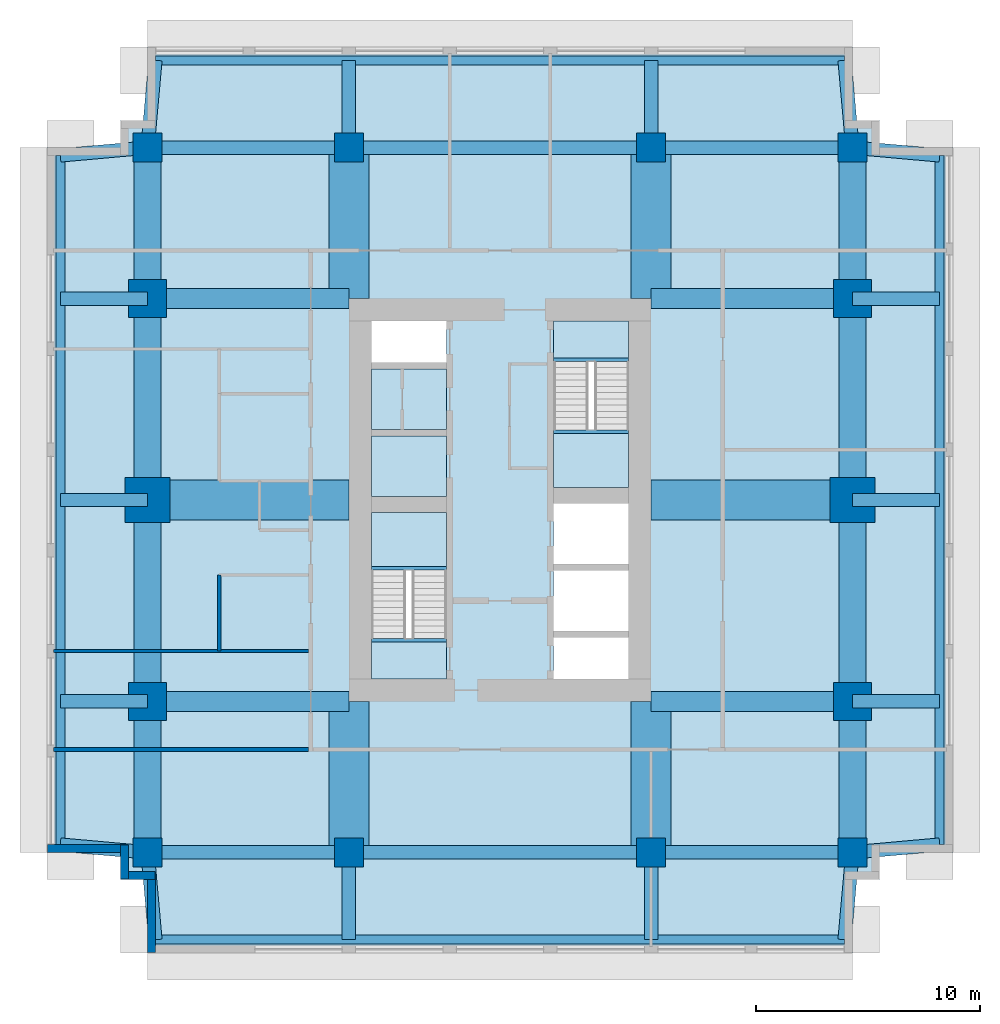
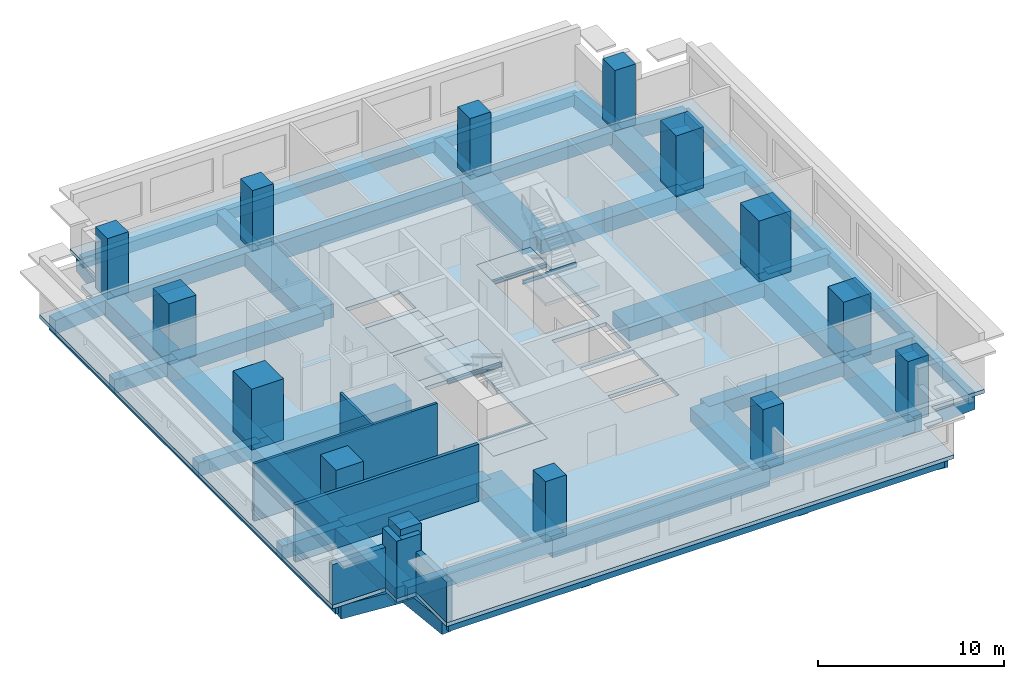
# One storey, part 1 of 5: 50 beams, 14 columns, 7 slabs, 7 walls, 2 elements without a shape of their own.
"""IFC4 building model written with IfcOpenShell, lengths in metres."""

from ifc_helpers import new_model, si_unit, direction, frame, frame_2d, origin, origin_2d, place, context, subcontext, project, spatial, polyline, rectangle, i_section, outline, extrude, material, layer, layer_set, material_profile, profile_set, type_object, element, aggregate, save


model = new_model("IFC4")

# Units and contexts
model_context = context("Model", 3, precision=1e-05, world=origin(), true_north=direction((0.0, 1.0)))
body_context = subcontext(model_context, "Body", "Model", "MODEL_VIEW")
ifc_project = project(units=[si_unit("LENGTHUNIT", "METRE"), si_unit("AREAUNIT", "SQUARE_METRE"), si_unit("VOLUMEUNIT", "CUBIC_METRE"), si_unit("PLANEANGLEUNIT", "RADIAN"), si_unit("MASSUNIT", "GRAM", prefix="KILO")], contexts=[model_context])

# Site, building, storey
site_placement = place(None, origin())
site = spatial("IfcSite", under=ifc_project, at=site_placement, CompositionType="ELEMENT")
building_placement = place(site_placement, origin())
building = spatial("IfcBuilding", under=site, at=building_placement, Name="Namib Vertical Campus", CompositionType="ELEMENT")
storey_placement = place(building_placement, frame((0.0, 0.0, 285.0)))
storey = spatial("IfcBuildingStorey", under=building, at=storey_placement, Name="L67", CompositionType="ELEMENT", Elevation=285.0)

# Columns
ifc_material_1 = material(Name="Concrete C60/75", Category="concrete")
ifc_material_profile_1 = material_profile(ifc_material_1, rectangle(XDim=1.300048828125, YDim=1.300048828125, at=origin_2d()))
ifc_profile_set_1 = profile_set([ifc_material_profile_1], Name="Concrete C60/75")
column_type_1 = type_object("IfcColumnType", Name="Column RC 1300x1300", PredefinedType="COLUMN", material=ifc_profile_set_1)
for number, where, z_axis, x_axis, name in (
    (1, (4.5, 4.5, 0.0), (0.0, 0.0, 1.0), (1.0, 0.0, 0.0), "Column C130 L67"),
    (2, (13.5, 4.5, 0.0), (0.0, 0.0, 1.0), (1.0, 0.0, 0.0), "Column C130 L67"),
    (3, (27.0, 4.5, 0.0), (0.0, 0.0, 1.0), (1.0, 0.0, 0.0), "Column C130 L67"),
    (4, (36.0, 4.5, 0.0), (0.0, 0.0, 1.0), (1.0, 0.0, 0.0), "Column C130 L67"),
    (5, (4.5, 36.0, 0.0), (0.0, 0.0, 1.0), (1.0, 0.0, 0.0), "Column C130 L67"),
    (6, (13.5, 36.0, 0.0), (0.0, 0.0, 1.0), (1.0, 0.0, 0.0), "Column C130 L67"),
    (7, (27.0, 36.0, 0.0), (0.0, 0.0, 1.0), (1.0, 0.0, 0.0), "Column C130 L67"),
    (8, (36.0, 36.0, 0.0), (0.0, 0.0, 1.0), (1.0, 0.0, 0.0), "Column C130 L67"),
):
    element("IfcColumn", number, at=place(storey_placement, frame(where, z_axis=z_axis, x_axis=x_axis)), inside=storey, type_object=column_type_1, Name=name, PredefinedType="COLUMN", context=body_context, shape_type="SweptSolid", body=[
        extrude(rectangle(XDim=1.300048828125, YDim=1.300048828125, at=origin_2d()), origin(), (0.0, 0.0, 1.0), 4.0),
    ])
ifc_material_2 = material(Name="Concrete C60/75", Category="concrete")
ifc_material_profile_2 = material_profile(ifc_material_2, rectangle(XDim=1.699951171875, YDim=1.699951171875, at=origin_2d()))
ifc_profile_set_2 = profile_set([ifc_material_profile_2], Name="Concrete C60/75")
column_type_2 = type_object("IfcColumnType", Name="Column RC 1700x1700", PredefinedType="COLUMN", material=ifc_profile_set_2)
for number, where, z_axis, x_axis, name in (
    (9, (4.5, 11.25, 0.0), (0.0, 0.0, 1.0), (1.0, 0.0, 0.0), "Column C170 L67"),
    (10, (36.0, 11.25, 0.0), (0.0, 0.0, 1.0), (1.0, 0.0, 0.0), "Column C170 L67"),
    (11, (4.5, 29.25, 0.0), (0.0, 0.0, 1.0), (1.0, 0.0, 0.0), "Column C170 L67"),
    (12, (36.0, 29.25, 0.0), (0.0, 0.0, 1.0), (1.0, 0.0, 0.0), "Column C170 L67"),
):
    element("IfcColumn", number, at=place(storey_placement, frame(where, z_axis=z_axis, x_axis=x_axis)), inside=storey, type_object=column_type_2, Name=name, PredefinedType="COLUMN", context=body_context, shape_type="SweptSolid", body=[
        extrude(rectangle(XDim=1.699951171875, YDim=1.699951171875, at=origin_2d()), origin(), (0.0, 0.0, 1.0), 4.0),
    ])
ifc_material_3 = material(Name="Concrete C60/75", Category="concrete")
ifc_material_profile_3 = material_profile(ifc_material_3, rectangle(XDim=2.0, YDim=2.0, at=origin_2d()))
ifc_profile_set_3 = profile_set([ifc_material_profile_3], Name="Concrete C60/75")
column_type_3 = type_object("IfcColumnType", Name="Column RC 2000x2000", PredefinedType="COLUMN", material=ifc_profile_set_3)
for number, where, z_axis, x_axis, name in (
    (13, (4.5, 20.25, 0.0), (0.0, 0.0, 1.0), (1.0, 0.0, 0.0), "Column C200 L67"),
    (14, (36.0, 20.25, 0.0), (0.0, 0.0, 1.0), (1.0, 0.0, 0.0), "Column C200 L67"),
):
    element("IfcColumn", number, at=place(storey_placement, frame(where, z_axis=z_axis, x_axis=x_axis)), inside=storey, type_object=column_type_3, Name=name, PredefinedType="COLUMN", context=body_context, shape_type="SweptSolid", body=[
        extrude(rectangle(XDim=2.0, YDim=2.0, at=origin_2d()), origin(), (0.0, 0.0, 1.0), 4.0),
    ])

# Beams
ifc_material_4 = material(Name="Concrete C40/50", Category="concrete")
ifc_material_profile_4 = material_profile(ifc_material_4, rectangle(XDim=0.60009765625, YDim=0.89990234375, at=origin_2d()))
ifc_profile_set_4 = profile_set([ifc_material_profile_4], Name="Concrete C40/50")
beam_type_1 = type_object("IfcBeamType", Name="Cantilever girder RC 600x900", PredefinedType="BEAM", material=ifc_profile_set_4)
beam_1_placement = place(storey_placement, frame((4.5, 4.5, -0.699951171875), z_axis=(0.089411326146, -0.995994786511, 0.0), x_axis=(0.995994786511, 0.089411326146, 0.0)))
element("IfcBeam", 15, at=beam_1_placement, inside=storey, type_object=beam_type_1, Name="Beam B3 L67", PredefinedType="BEAM", context=body_context, shape_type="SweptSolid", body=[
    extrude(rectangle(XDim=0.60009765625, YDim=0.89990234375, at=origin_2d()), origin(), (0.0, 0.0, 1.0), 3.91552734375),
])
for number, where, z_axis, x_axis, name in (
    (16, (13.5, 4.5, -0.699951171875), (0.0, -1.0, 0.0), (1.0, 0.0, 0.0), "Beam B3 L67"),
    (17, (27.0, 4.5, -0.699951171875), (0.0, -1.0, 0.0), (1.0, 0.0, 0.0), "Beam B3 L67"),
):
    element("IfcBeam", number, at=place(storey_placement, frame(where, z_axis=z_axis, x_axis=x_axis)), inside=storey, type_object=beam_type_1, Name=name, PredefinedType="BEAM", context=body_context, shape_type="SweptSolid", body=[
        extrude(rectangle(XDim=0.60009765625, YDim=0.89990234375, at=origin_2d()), origin(), (0.0, 0.0, 1.0), 3.89990234375),
    ])
for number, where, z_axis, x_axis, name in (
    (18, (36.0, 4.5, -0.699951171875), (-0.089411326146, -0.995994786511, 0.0), (0.995994786511, -0.089411326146, 0.0), "Beam B3 L67"),
    (19, (4.5, 36.0, -0.699951171875), (0.089411326146, 0.995994786511, 0.0), (-0.995994786511, 0.089411326146, 0.0), "Beam B3 L67"),
):
    element("IfcBeam", number, at=place(storey_placement, frame(where, z_axis=z_axis, x_axis=x_axis)), inside=storey, type_object=beam_type_1, Name=name, PredefinedType="BEAM", context=body_context, shape_type="SweptSolid", body=[
        extrude(rectangle(XDim=0.60009765625, YDim=0.89990234375, at=origin_2d()), origin(), (0.0, 0.0, 1.0), 3.91552734375),
    ])
for number, where, z_axis, x_axis, name in (
    (20, (13.5, 36.0, -0.699951171875), (0.0, 1.0, 0.0), (-1.0, 0.0, 0.0), "Beam B3 L67"),
    (21, (27.0, 36.0, -0.699951171875), (0.0, 1.0, 0.0), (-1.0, 0.0, 0.0), "Beam B3 L67"),
):
    element("IfcBeam", number, at=place(storey_placement, frame(where, z_axis=z_axis, x_axis=x_axis)), inside=storey, type_object=beam_type_1, Name=name, PredefinedType="BEAM", context=body_context, shape_type="SweptSolid", body=[
        extrude(rectangle(XDim=0.60009765625, YDim=0.89990234375, at=origin_2d()), origin(), (0.0, 0.0, 1.0), 3.89990234375),
    ])
for number, where, z_axis, x_axis, name in (
    (22, (36.0, 36.0, -0.699951171875), (-0.089411326146, 0.995994786511, 0.0), (-0.995994786511, -0.089411326146, 0.0), "Beam B3 L67"),
    (23, (4.5, 4.5, -0.699951171875), (-0.995994786511, 0.089411326146, 0.0), (-0.089411326146, -0.995994786511, 0.0), "Beam B3 L67"),
):
    element("IfcBeam", number, at=place(storey_placement, frame(where, z_axis=z_axis, x_axis=x_axis)), inside=storey, type_object=beam_type_1, Name=name, PredefinedType="BEAM", context=body_context, shape_type="SweptSolid", body=[
        extrude(rectangle(XDim=0.60009765625, YDim=0.89990234375, at=origin_2d()), origin(), (0.0, 0.0, 1.0), 3.91552734375),
    ])
for number, where, z_axis, x_axis, name in (
    (24, (4.5, 11.25, -0.699951171875), (-1.0, 0.0, 0.0), (0.0, -1.0, 0.0), "Beam B3 L67"),
    (25, (4.5, 20.25, -0.699951171875), (-1.0, 0.0, 0.0), (0.0, -1.0, 0.0), "Beam B3 L67"),
    (26, (4.5, 29.25, -0.699951171875), (-1.0, 0.0, 0.0), (0.0, -1.0, 0.0), "Beam B3 L67"),
):
    element("IfcBeam", number, at=place(storey_placement, frame(where, z_axis=z_axis, x_axis=x_axis)), inside=storey, type_object=beam_type_1, Name=name, PredefinedType="BEAM", context=body_context, shape_type="SweptSolid", body=[
        extrude(rectangle(XDim=0.60009765625, YDim=0.89990234375, at=origin_2d()), origin(), (0.0, 0.0, 1.0), 3.89990234375),
    ])
for number, where, z_axis, x_axis, name in (
    (27, (4.5, 36.0, -0.699951171875), (-0.995994786511, -0.089411326146, 0.0), (0.089411326146, -0.995994786511, 0.0), "Beam B3 L67"),
    (28, (36.0, 4.5, -0.699951171875), (0.995994786511, 0.089411326146, 0.0), (-0.089411326146, 0.995994786511, 0.0), "Beam B3 L67"),
):
    element("IfcBeam", number, at=place(storey_placement, frame(where, z_axis=z_axis, x_axis=x_axis)), inside=storey, type_object=beam_type_1, Name=name, PredefinedType="BEAM", context=body_context, shape_type="SweptSolid", body=[
        extrude(rectangle(XDim=0.60009765625, YDim=0.89990234375, at=origin_2d()), origin(), (0.0, 0.0, 1.0), 3.91552734375),
    ])
for number, where, z_axis, x_axis, name in (
    (29, (36.0, 11.25, -0.699951171875), (1.0, 0.0, 0.0), (0.0, 1.0, 0.0), "Beam B3 L67"),
    (30, (36.0, 20.25, -0.699951171875), (1.0, 0.0, 0.0), (0.0, 1.0, 0.0), "Beam B3 L67"),
    (31, (36.0, 29.25, -0.699951171875), (1.0, 0.0, 0.0), (0.0, 1.0, 0.0), "Beam B3 L67"),
):
    element("IfcBeam", number, at=place(storey_placement, frame(where, z_axis=z_axis, x_axis=x_axis)), inside=storey, type_object=beam_type_1, Name=name, PredefinedType="BEAM", context=body_context, shape_type="SweptSolid", body=[
        extrude(rectangle(XDim=0.60009765625, YDim=0.89990234375, at=origin_2d()), origin(), (0.0, 0.0, 1.0), 3.89990234375),
    ])
beam_2_placement = place(storey_placement, frame((36.0, 36.0, -0.699951171875), z_axis=(0.995994786511, -0.089411326146, 0.0), x_axis=(0.089411326146, 0.995994786511, 0.0)))
element("IfcBeam", 32, at=beam_2_placement, inside=storey, type_object=beam_type_1, Name="Beam B3 L67", PredefinedType="BEAM", context=body_context, shape_type="SweptSolid", body=[
    extrude(rectangle(XDim=0.60009765625, YDim=0.89990234375, at=origin_2d()), origin(), (0.0, 0.0, 1.0), 3.91552734375),
])
ifc_material_5 = material(Name="Concrete C40/50", Category="concrete")
ifc_material_profile_5 = material_profile(ifc_material_5, rectangle(XDim=0.39990234375, YDim=0.699951171875, at=origin_2d()))
ifc_profile_set_5 = profile_set([ifc_material_profile_5], Name="Concrete C40/50")
beam_type_2 = type_object("IfcBeamType", Name="Edge beam RC 400x700", PredefinedType="SPANDREL", material=ifc_profile_set_5)
for number, where, z_axis, x_axis, name in (
    (33, (4.85009765625, 0.60009765625, -0.60009765625), (1.0, 0.0, 0.0), (0.0, 1.0, 0.0), "Beam B4 L67"),
    (34, (4.85009765625, 39.89990234375, -0.60009765625), (1.0, 0.0, 0.0), (0.0, 1.0, 0.0), "Beam B4 L67"),
    (35, (0.60009765625, 4.85009765625, -0.60009765625), (0.0, 1.0, 0.0), (-1.0, 0.0, 0.0), "Beam B4 L67"),
    (36, (39.89990234375, 4.85009765625, -0.60009765625), (0.0, 1.0, 0.0), (-1.0, 0.0, 0.0), "Beam B4 L67"),
):
    element("IfcBeam", number, at=place(storey_placement, frame(where, z_axis=z_axis, x_axis=x_axis)), inside=storey, type_object=beam_type_2, Name=name, PredefinedType="SPANDREL", context=body_context, shape_type="SweptSolid", body=[
        extrude(rectangle(XDim=0.39990234375, YDim=0.699951171875, at=origin_2d()), origin(), (0.0, 0.0, 1.0), 30.7998046875),
    ])
ifc_material_6 = material(Name="Concrete C40/50", Category="concrete")
ifc_material_profile_6 = material_profile(ifc_material_6, rectangle(XDim=0.89990234375, YDim=0.89990234375, at=origin_2d()))
ifc_profile_set_6 = profile_set([ifc_material_profile_6], Name="Concrete C40/50")
beam_type_3 = type_object("IfcBeamType", Name="Face girder RC 900x900", PredefinedType="BEAM", material=ifc_profile_set_6)
for number, where, z_axis, x_axis, name in (
    (37, (4.5, 11.25, -0.699951171875), (1.0, 0.0, 0.0), (0.0, 1.0, 0.0), "Beam B10 L67"),
    (38, (36.0, 11.25, -0.699951171875), (-1.0, 0.0, 0.0), (0.0, -1.0, 0.0), "Beam B10 L67"),
    (39, (4.5, 29.25, -0.699951171875), (1.0, 0.0, 0.0), (0.0, 1.0, 0.0), "Beam B10 L67"),
    (40, (36.0, 29.25, -0.699951171875), (-1.0, 0.0, 0.0), (0.0, -1.0, 0.0), "Beam B10 L67"),
):
    element("IfcBeam", number, at=place(storey_placement, frame(where, z_axis=z_axis, x_axis=x_axis)), inside=storey, type_object=beam_type_3, Name=name, PredefinedType="BEAM", context=body_context, shape_type="SweptSolid", body=[
        extrude(rectangle(XDim=0.89990234375, YDim=0.89990234375, at=origin_2d()), origin(), (0.0, 0.0, 1.0), 9.0),
    ])
ifc_material_7 = material(Name="Concrete C40/50", Category="concrete")
ifc_material_profile_7 = material_profile(ifc_material_7, rectangle(XDim=1.199951171875, YDim=1.10009765625, at=origin_2d()))
ifc_profile_set_7 = profile_set([ifc_material_profile_7], Name="Concrete C40/50")
beam_type_4 = type_object("IfcBeamType", Name="Face ring beam RC 1200x1100", PredefinedType="BEAM", material=ifc_profile_set_7)
beam_3_placement = place(storey_placement, frame((4.5, 4.5, -0.800048828125), z_axis=(0.0, 1.0, 0.0), x_axis=(-1.0, 0.0, 0.0)))
element("IfcBeam", 41, at=beam_3_placement, inside=storey, type_object=beam_type_4, Name="Beam B11 L67", PredefinedType="BEAM", context=body_context, shape_type="SweptSolid", body=[
    extrude(rectangle(XDim=1.199951171875, YDim=1.10009765625, at=origin_2d()), origin(), (0.0, 0.0, 1.0), 6.75),
])
for number, where, z_axis, x_axis, name in (
    (42, (4.5, 11.25, -0.800048828125), (0.0, 1.0, 0.0), (-1.0, 0.0, 0.0), "Beam B11 L67"),
    (43, (4.5, 20.25, -0.800048828125), (0.0, 1.0, 0.0), (-1.0, 0.0, 0.0), "Beam B11 L67"),
):
    element("IfcBeam", number, at=place(storey_placement, frame(where, z_axis=z_axis, x_axis=x_axis)), inside=storey, type_object=beam_type_4, Name=name, PredefinedType="BEAM", context=body_context, shape_type="SweptSolid", body=[
        extrude(rectangle(XDim=1.199951171875, YDim=1.10009765625, at=origin_2d()), origin(), (0.0, 0.0, 1.0), 9.0),
    ])
for number, where, z_axis, x_axis, name in (
    (44, (4.5, 29.25, -0.800048828125), (0.0, 1.0, 0.0), (-1.0, 0.0, 0.0), "Beam B11 L67"),
    (45, (36.0, 4.5, -0.800048828125), (0.0, 1.0, 0.0), (-1.0, 0.0, 0.0), "Beam B11 L67"),
):
    element("IfcBeam", number, at=place(storey_placement, frame(where, z_axis=z_axis, x_axis=x_axis)), inside=storey, type_object=beam_type_4, Name=name, PredefinedType="BEAM", context=body_context, shape_type="SweptSolid", body=[
        extrude(rectangle(XDim=1.199951171875, YDim=1.10009765625, at=origin_2d()), origin(), (0.0, 0.0, 1.0), 6.75),
    ])
for number, where, z_axis, x_axis, name in (
    (46, (36.0, 11.25, -0.800048828125), (0.0, 1.0, 0.0), (-1.0, 0.0, 0.0), "Beam B11 L67"),
    (47, (36.0, 20.25, -0.800048828125), (0.0, 1.0, 0.0), (-1.0, 0.0, 0.0), "Beam B11 L67"),
):
    element("IfcBeam", number, at=place(storey_placement, frame(where, z_axis=z_axis, x_axis=x_axis)), inside=storey, type_object=beam_type_4, Name=name, PredefinedType="BEAM", context=body_context, shape_type="SweptSolid", body=[
        extrude(rectangle(XDim=1.199951171875, YDim=1.10009765625, at=origin_2d()), origin(), (0.0, 0.0, 1.0), 9.0),
    ])
beam_4_placement = place(storey_placement, frame((36.0, 29.25, -0.800048828125), z_axis=(0.0, 1.0, 0.0), x_axis=(-1.0, 0.0, 0.0)))
element("IfcBeam", 48, at=beam_4_placement, inside=storey, type_object=beam_type_4, Name="Beam B11 L67", PredefinedType="BEAM", context=body_context, shape_type="SweptSolid", body=[
    extrude(rectangle(XDim=1.199951171875, YDim=1.10009765625, at=origin_2d()), origin(), (0.0, 0.0, 1.0), 6.75),
])
ifc_material_8 = material(Name="Steel S355JR", Category="steel")
ifc_material_profile_8 = material_profile(ifc_material_8, i_section(OverallWidth=0.14599609375, OverallDepth=0.25146484375, WebThickness=0.006103515625, FlangeThickness=0.008544921875, FilletRadius=0.007568359375, at=origin_2d()))
ifc_profile_set_8 = profile_set([ifc_material_profile_8], Name="Steel S355JR")
beam_type_5 = type_object("IfcBeamType", Name="Landing trimmer UB 254x146x31", PredefinedType="BEAM", material=ifc_profile_set_8)
for number, where, z_axis, x_axis, name in (
    (49, (14.5, 13.97705078125, -0.125732421875), (1.0, 0.0, 0.0), (0.0, 1.0, 0.0), "Landing trimmer LT1 A-S1 L67 1"),
    (50, (14.5, 17.203125, 1.874267578125), (1.0, 0.0, 0.0), (0.0, 1.0, 0.0), "Landing trimmer LT1 A-S1 L67 2"),
    (51, (22.64990234375, 26.52294921875, -0.125732421875), (1.0, 0.0, 0.0), (0.0, 1.0, 0.0), "Landing trimmer LT1 A-S2 L67 1"),
    (52, (22.64990234375, 23.296875, 1.874267578125), (1.0, 0.0, 0.0), (0.0, 1.0, 0.0), "Landing trimmer LT1 A-S2 L67 2"),
):
    element("IfcBeam", number, at=place(storey_placement, frame(where, z_axis=z_axis, x_axis=x_axis)), inside=storey, type_object=beam_type_5, Name=name, PredefinedType="BEAM", context=body_context, shape_type="SweptSolid", body=[
        extrude(i_section(OverallWidth=0.14599609375, OverallDepth=0.25146484375, WebThickness=0.006103515625, FlangeThickness=0.008544921875, FilletRadius=0.007568359375, at=origin_2d()), origin(), (0.0, 0.0, 1.0), 3.35009765625),
    ])
ifc_material_9 = material(Name="Concrete C40/50", Category="concrete")
ifc_material_profile_9 = material_profile(ifc_material_9, rectangle(XDim=0.60009765625, YDim=1.199951171875, at=origin_2d()))
ifc_profile_set_9 = profile_set([ifc_material_profile_9], Name="Concrete C40/50")
beam_type_6 = type_object("IfcBeamType", Name="Long-span ring beam RC 600x1200", PredefinedType="BEAM", material=ifc_profile_set_9)
for number, where, z_axis, x_axis, name in (
    (53, (13.5, 4.5, -0.85009765625), (1.0, 0.0, 0.0), (0.0, 1.0, 0.0), "Beam B9 L67"),
    (54, (13.5, 36.0, -0.85009765625), (1.0, 0.0, 0.0), (0.0, 1.0, 0.0), "Beam B9 L67"),
):
    element("IfcBeam", number, at=place(storey_placement, frame(where, z_axis=z_axis, x_axis=x_axis)), inside=storey, type_object=beam_type_6, Name=name, PredefinedType="BEAM", context=body_context, shape_type="SweptSolid", body=[
        extrude(rectangle(XDim=0.60009765625, YDim=1.199951171875, at=origin_2d()), origin(), (0.0, 0.0, 1.0), 13.5),
    ])
ifc_material_10 = material(Name="Concrete C40/50", Category="concrete")
ifc_material_profile_10 = material_profile(ifc_material_10, rectangle(XDim=1.800048828125, YDim=0.89990234375, at=origin_2d()))
ifc_profile_set_10 = profile_set([ifc_material_profile_10], Name="Concrete C40/50")
beam_type_7 = type_object("IfcBeamType", Name="Outrigger line girder RC 1800x900", PredefinedType="BEAM", material=ifc_profile_set_10)
for number, where, z_axis, x_axis, name in (
    (55, (13.5, 4.5, -0.699951171875), (0.0, 1.0, 0.0), (-1.0, 0.0, 0.0), "Beam B12 L67"),
    (56, (13.5, 36.0, -0.699951171875), (0.0, -1.0, 0.0), (1.0, 0.0, 0.0), "Beam B12 L67"),
    (57, (27.0, 4.5, -0.699951171875), (0.0, 1.0, 0.0), (-1.0, 0.0, 0.0), "Beam B12 L67"),
    (58, (27.0, 36.0, -0.699951171875), (0.0, -1.0, 0.0), (1.0, 0.0, 0.0), "Beam B12 L67"),
):
    element("IfcBeam", number, at=place(storey_placement, frame(where, z_axis=z_axis, x_axis=x_axis)), inside=storey, type_object=beam_type_7, Name=name, PredefinedType="BEAM", context=body_context, shape_type="SweptSolid", body=[
        extrude(rectangle(XDim=1.800048828125, YDim=0.89990234375, at=origin_2d()), origin(), (0.0, 0.0, 1.0), 6.75),
    ])
for number, where, z_axis, x_axis, name in (
    (59, (4.5, 20.25, -0.699951171875), (1.0, 0.0, 0.0), (0.0, 1.0, 0.0), "Beam B12 L67"),
    (60, (36.0, 20.25, -0.699951171875), (-1.0, 0.0, 0.0), (0.0, -1.0, 0.0), "Beam B12 L67"),
):
    element("IfcBeam", number, at=place(storey_placement, frame(where, z_axis=z_axis, x_axis=x_axis)), inside=storey, type_object=beam_type_7, Name=name, PredefinedType="BEAM", context=body_context, shape_type="SweptSolid", body=[
        extrude(rectangle(XDim=1.800048828125, YDim=0.89990234375, at=origin_2d()), origin(), (0.0, 0.0, 1.0), 9.0),
    ])
ifc_material_11 = material(Name="Concrete C40/50", Category="concrete")
ifc_material_profile_11 = material_profile(ifc_material_11, rectangle(XDim=0.60009765625, YDim=0.800048828125, at=origin_2d()))
ifc_profile_set_11 = profile_set([ifc_material_profile_11], Name="Concrete C40/50")
beam_type_8 = type_object("IfcBeamType", Name="Ring beam RC 600x800", PredefinedType="BEAM", material=ifc_profile_set_11)
for number, where, z_axis, x_axis, name in (
    (61, (4.5, 4.5, -0.64990234375), (1.0, 0.0, 0.0), (0.0, 1.0, 0.0), "Beam B1 L67"),
    (62, (27.0, 4.5, -0.64990234375), (1.0, 0.0, 0.0), (0.0, 1.0, 0.0), "Beam B1 L67"),
    (63, (4.5, 36.0, -0.64990234375), (1.0, 0.0, 0.0), (0.0, 1.0, 0.0), "Beam B1 L67"),
    (64, (27.0, 36.0, -0.64990234375), (1.0, 0.0, 0.0), (0.0, 1.0, 0.0), "Beam B1 L67"),
):
    element("IfcBeam", number, at=place(storey_placement, frame(where, z_axis=z_axis, x_axis=x_axis)), inside=storey, type_object=beam_type_8, Name=name, PredefinedType="BEAM", context=body_context, shape_type="SweptSolid", body=[
        extrude(rectangle(XDim=0.60009765625, YDim=0.800048828125, at=origin_2d()), origin(), (0.0, 0.0, 1.0), 9.0),
    ])

# Slabs
ifc_material_12 = material(Name="Concrete C40/50", Category="concrete")
ifc_layer_1 = layer(ifc_material_12, 0.25)
ifc_layer_set_1 = layer_set([ifc_layer_1], Name="Concrete C40/50")
slab_type_1 = type_object("IfcSlabType", Name="Floor slab 250", PredefinedType="FLOOR", material=ifc_layer_set_1)
slab_1_placement = place(storey_placement, frame((0.0, 0.0, -0.25)))
element("IfcSlab", 65, at=slab_1_placement, inside=storey, type_object=slab_type_1, Name="Floor slab A L67", PredefinedType="FLOOR", context=body_context, shape_type="SweptSolid", body=[
    extrude(outline(polyline([(4.5, 0.0), (36.0, 0.0), (36.0, 3.300048828125), (37.199951171875, 3.300048828125), (37.199951171875, 4.5), (40.5, 4.5), (40.5, 36.0), (37.199951171875, 36.0), (37.199951171875, 37.199951171875), (36.0, 37.199951171875), (36.0, 40.5), (4.5, 40.5), (4.5, 37.199951171875), (3.300048828125, 37.199951171875), (3.300048828125, 36.0), (0.0, 36.0), (0.0, 4.5), (3.300048828125, 4.5), (3.300048828125, 3.300048828125), (4.5, 3.300048828125), (4.5, 0.0)]), holes=[polyline([(14.5, 12.25), (17.85009765625, 12.25), (17.85009765625, 19.699951171875), (14.5, 19.699951171875), (14.5, 12.25)]), polyline([(22.64990234375, 20.800048828125), (26.0, 20.800048828125), (26.0, 28.25), (22.64990234375, 28.25), (22.64990234375, 20.800048828125)]), polyline([(22.64990234375, 12.25), (26.0, 12.25), (26.0, 14.10009765625), (22.64990234375, 14.10009765625), (22.64990234375, 12.25)]), polyline([(14.5, 20.39990234375), (17.85009765625, 20.39990234375), (17.85009765625, 23.10009765625), (14.5, 23.10009765625), (14.5, 20.39990234375)]), polyline([(14.5, 23.39990234375), (17.85009765625, 23.39990234375), (17.85009765625, 26.10009765625), (14.5, 26.10009765625), (14.5, 23.39990234375)]), polyline([(14.5, 26.39990234375), (17.85009765625, 26.39990234375), (17.85009765625, 28.25), (14.5, 28.25), (14.5, 26.39990234375)]), polyline([(22.64990234375, 14.39990234375), (26.0, 14.39990234375), (26.0, 17.10009765625), (22.64990234375, 17.10009765625), (22.64990234375, 14.39990234375)]), polyline([(22.64990234375, 17.39990234375), (26.0, 17.39990234375), (26.0, 20.10009765625), (22.64990234375, 20.10009765625), (22.64990234375, 17.39990234375)])]), origin(), (0.0, 0.0, 1.0), 0.25),
])
ifc_material_13 = material(Name="Concrete C40/50 precast", Category="concrete")
ifc_layer_2 = layer(ifc_material_13, 0.25)
ifc_layer_set_2 = layer_set([ifc_layer_2], Name="Concrete C40/50 precast")
slab_type_2 = type_object("IfcSlabType", Name="Shaft infill floor 250", PredefinedType="FLOOR", material=ifc_layer_set_2)
slab_2_placement = place(storey_placement, frame((0.0, 0.0, -0.25)))
element("IfcSlab", 66, at=slab_2_placement, inside=storey, type_object=slab_type_2, Name="Shaft infill floor A L67 P1", PredefinedType="FLOOR", context=body_context, shape_type="SweptSolid", body=[
    extrude(outline(polyline([(14.5, 20.39990234375), (17.85009765625, 20.39990234375), (17.85009765625, 23.10009765625), (14.5, 23.10009765625), (14.5, 20.39990234375)])), origin(), (0.0, 0.0, 1.0), 0.25),
])
slab_3_placement = place(storey_placement, frame((0.0, 0.0, -0.25)))
element("IfcSlab", 67, at=slab_3_placement, inside=storey, type_object=slab_type_2, Name="Shaft infill floor A L67 P2", PredefinedType="FLOOR", context=body_context, shape_type="SweptSolid", body=[
    extrude(outline(polyline([(14.5, 23.39990234375), (17.85009765625, 23.39990234375), (17.85009765625, 26.10009765625), (14.5, 26.10009765625), (14.5, 23.39990234375)])), origin(), (0.0, 0.0, 1.0), 0.25),
])

# Stair, slabs
ifc_material_14 = material(Name="Concrete C40/50 precast", Category="concrete")
stair_type = type_object("IfcStairType", Name="Exit stair 4000 rise 24 risers 3350 wide", PredefinedType="HALF_TURN_STAIR", material=ifc_material_14)
stair_1_placement = place(storey_placement, origin())
stair_1 = element("IfcStair", 68, at=stair_1_placement, inside=storey, type_object=stair_type, Name="Exit stair A-S1 L67", PredefinedType="HALF_TURN_STAIR")
ifc_material_15 = material(Name="Concrete C40/50", Category="concrete")
ifc_layer_3 = layer(ifc_material_15, 0.199951171875)
ifc_layer_set_3 = layer_set([ifc_layer_3], Name="Concrete C40/50")
slab_type_3 = type_object("IfcSlabType", Name="Stair landing 200", PredefinedType="LANDING", material=ifc_layer_set_3)
slab_4_placement = place(storey_placement, frame((0.0, 0.0, -0.199951171875)))
slab_4 = element("IfcSlab", 69, at=slab_4_placement, type_object=slab_type_3, Name="A-S1 landing 1", PredefinedType="LANDING", context=body_context, shape_type="SweptSolid", body=[
    extrude(outline(polyline([(14.5, 12.25), (17.85009765625, 12.25), (17.85009765625, 13.90380859375), (14.5, 13.90380859375), (14.5, 12.25)])), origin(), (0.0, 0.0, 1.0), 0.199951171875),
])
slab_5_placement = place(storey_placement, frame((0.0, 0.0, 1.800048828125)))
slab_5 = element("IfcSlab", 70, at=slab_5_placement, type_object=slab_type_3, Name="A-S1 landing 2", PredefinedType="LANDING", context=body_context, shape_type="SweptSolid", body=[
    extrude(outline(polyline([(14.5, 17.276123046875), (17.85009765625, 17.276123046875), (17.85009765625, 19.699951171875), (14.5, 19.699951171875), (14.5, 17.276123046875)])), origin(), (0.0, 0.0, 1.0), 0.199951171875),
])
aggregate(stair_1, [slab_4, slab_5])

stair_2_placement = place(storey_placement, origin())
stair_2 = element("IfcStair", 71, at=stair_2_placement, inside=storey, type_object=stair_type, Name="Exit stair A-S2 L67", PredefinedType="HALF_TURN_STAIR")
slab_6_placement = place(storey_placement, frame((0.0, 0.0, -0.199951171875)))
slab_6 = element("IfcSlab", 72, at=slab_6_placement, type_object=slab_type_3, Name="A-S2 landing 1", PredefinedType="LANDING", context=body_context, shape_type="SweptSolid", body=[
    extrude(outline(polyline([(22.64990234375, 26.59619140625), (26.0, 26.59619140625), (26.0, 28.25), (22.64990234375, 28.25), (22.64990234375, 26.59619140625)])), origin(), (0.0, 0.0, 1.0), 0.199951171875),
])
slab_7_placement = place(storey_placement, frame((0.0, 0.0, 1.800048828125)))
slab_7 = element("IfcSlab", 73, at=slab_7_placement, type_object=slab_type_3, Name="A-S2 landing 2", PredefinedType="LANDING", context=body_context, shape_type="SweptSolid", body=[
    extrude(outline(polyline([(22.64990234375, 20.800048828125), (26.0, 20.800048828125), (26.0, 23.223876953125), (22.64990234375, 23.223876953125), (22.64990234375, 20.800048828125)])), origin(), (0.0, 0.0, 1.0), 0.199951171875),
])
aggregate(stair_2, [slab_6, slab_7])

# Walls
ifc_material_16 = material(Name="Concrete masonry", Category="masonry")
ifc_layer_4 = layer(ifc_material_16, 0.199951171875)
ifc_layer_set_4 = layer_set([ifc_layer_4], Name="Corridor wall 200")
wall_type_1 = type_object("IfcWallType", Name="Corridor wall 200", PredefinedType="SOLIDWALL", material=ifc_layer_set_4)
wall_1_placement = place(storey_placement, frame((0.300048828125, 9.10009765625, 0.0), z_axis=(0.0, 0.0, 1.0), x_axis=(1.0, 0.0, 0.0)))
element("IfcWall", 74, at=wall_1_placement, inside=storey, type_object=wall_type_1, Name="Partition A L67 BSW", PredefinedType="SOLIDWALL", context=body_context, shape_type="SweptSolid", body=[
    extrude(rectangle(XDim=11.39990234375, YDim=0.199951171875, at=frame_2d((5.699951171875, 0.0))), origin(), (0.0, 0.0, 1.0), 3.75),
])
ifc_material_17 = material(Name="Concrete C40/50", Category="concrete")
ifc_layer_5 = layer(ifc_material_17, 0.35009765625)
ifc_layer_set_5 = layer_set([ifc_layer_5], Name="Concrete C40/50")
wall_type_2 = type_object("IfcWallType", Name="External wall 350 bush-hammered concrete", PredefinedType="STANDARD", material=ifc_layer_set_5)
wall_2_placement = place(storey_placement, frame((0.02001953125, 4.675048828125, 0.0), z_axis=(0.0, 0.0, 1.0), x_axis=(1.0, 0.0, 0.0)))
element("IfcWall", 75, at=wall_2_placement, inside=storey, type_object=wall_type_2, Name="External wall L67 F17", PredefinedType="STANDARD", context=body_context, shape_type="SweptSolid", body=[
    extrude(rectangle(XDim=3.60986328125, YDim=0.35009765625, at=frame_2d((1.804931640625, 0.0))), origin(), (0.0, 0.0, 1.0), 2.64990234375),
])
for number, where, z_axis, x_axis, name in (
    (76, (3.47509765625, 4.830078125, 0.0), (0.0, 0.0, 1.0), (0.0, -1.0, 0.0), "External wall L67 F18"),
    (77, (3.320068359375, 3.47509765625, 0.0), (0.0, 0.0, 1.0), (1.0, 0.0, 0.0), "External wall L67 F19"),
):
    element("IfcWall", number, at=place(storey_placement, frame(where, z_axis=z_axis, x_axis=x_axis)), inside=storey, type_object=wall_type_2, Name=name, PredefinedType="STANDARD", context=body_context, shape_type="SweptSolid", body=[
        extrude(rectangle(XDim=1.510009765625, YDim=0.35009765625, at=frame_2d((0.7548828125, 0.0))), origin(), (0.0, 0.0, 1.0), 3.75),
    ])
wall_3_placement = place(storey_placement, frame((4.675048828125, 3.6298828125, 0.0), z_axis=(0.0, 0.0, 1.0), x_axis=(0.0, -1.0, 0.0)))
element("IfcWall", 78, at=wall_3_placement, inside=storey, type_object=wall_type_2, Name="External wall L67 F20", PredefinedType="STANDARD", context=body_context, shape_type="SweptSolid", body=[
    extrude(rectangle(XDim=3.60986328125, YDim=0.35009765625, at=frame_2d((1.804931640625, 0.0))), origin(), (0.0, 0.0, 1.0), 2.64990234375),
])
ifc_material_18 = material(Name="Gypsum board on steel studs", Category="steel")
ifc_layer_6 = layer(ifc_material_18, 0.14990234375)
ifc_layer_set_6 = layer_set([ifc_layer_6], Name="Gypsum board on steel studs")
wall_type_3 = type_object("IfcWallType", Name="Partition 150", PredefinedType="PARTITIONING", material=ifc_layer_set_6)
wall_4_placement = place(storey_placement, frame((0.300048828125, 13.5, 0.0), z_axis=(0.0, 0.0, 1.0), x_axis=(1.0, 0.0, 0.0)))
element("IfcWall", 79, at=wall_4_placement, inside=storey, type_object=wall_type_3, Name="Partition A L67 PW1", PredefinedType="PARTITIONING", context=body_context, shape_type="SweptSolid", body=[
    extrude(rectangle(XDim=11.39990234375, YDim=0.14990234375, at=frame_2d((5.699951171875, 0.0))), origin(), (0.0, 0.0, 1.0), 3.75),
])
wall_5_placement = place(storey_placement, frame((7.699951171875, 13.5, 0.0), z_axis=(0.0, 0.0, 1.0), x_axis=(0.0, 1.0, 0.0)))
element("IfcWall", 80, at=wall_5_placement, inside=storey, type_object=wall_type_3, Name="Partition A L67 WB1", PredefinedType="PARTITIONING", context=body_context, shape_type="SweptSolid", body=[
    extrude(rectangle(XDim=3.39990234375, YDim=0.14990234375, at=frame_2d((1.699951171875, 0.0))), origin(), (0.0, 0.0, 1.0), 3.75),
])

save(model, "model.ifc")
